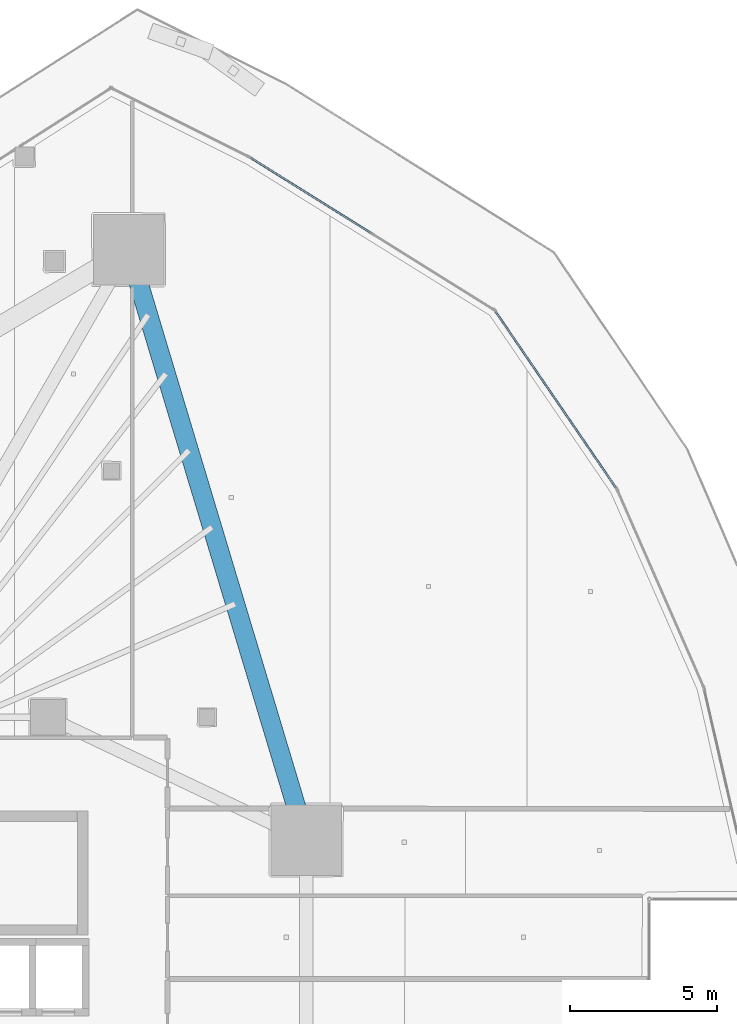
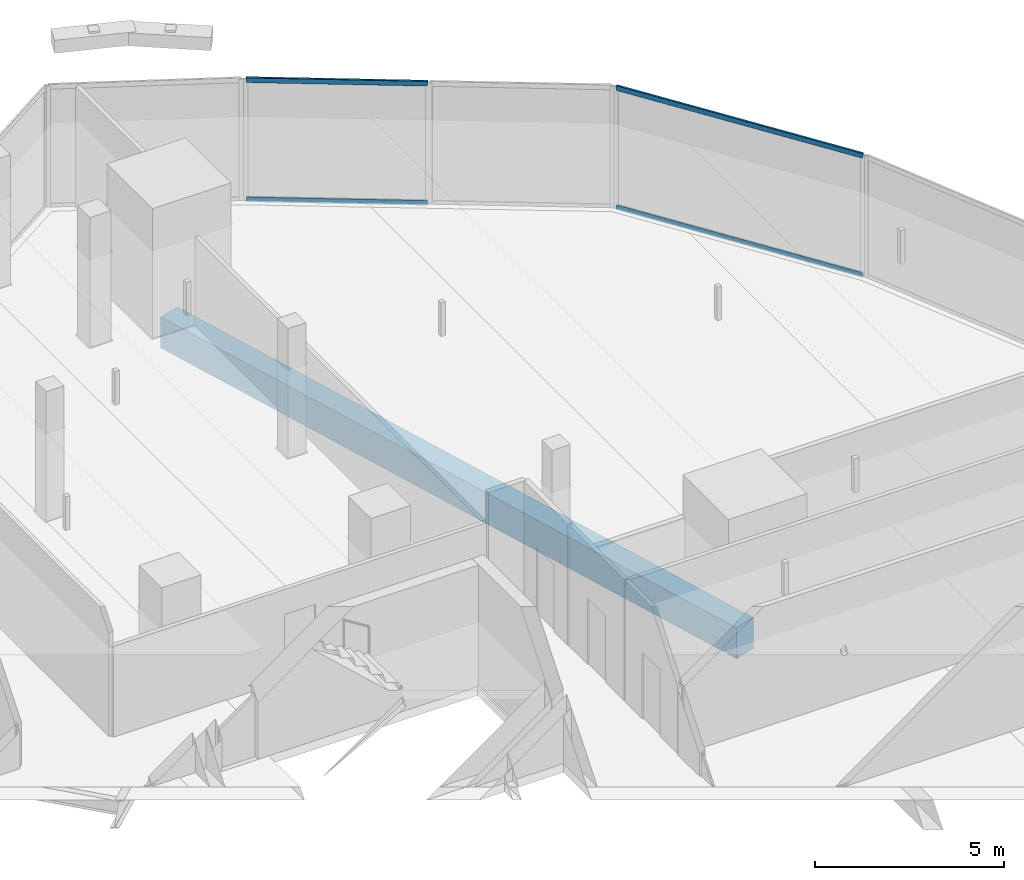
# One storey, part 21 of 44: 4 members, 1 beam, 2 elements without a shape of their own.
"""IFC4 building model written with IfcOpenShell, lengths in metres."""

import ifcopenshell
import ifcopenshell.guid

model = None  # the IFC model being written
_history = None  # IfcOwnerHistory: only IFC2X3 demands one
_inside = {}  # id of a spatial element -> (the spatial element, [elements in it])
_under = {}  # id of a project, library or spatial element -> (it, [spatial elements below it])
_declared = {}  # id of a project -> (the project, [libraries it declares])
_typed = {}  # id of a type object -> (the type object, [elements of that type])
_made_of = {}  # id of a material, layer set ... -> (it, [elements and type objects made of it])


def new_model(schema):
    """Start an empty IFC model of exactly this schema.

    Asked for "IFC4X3", IfcOpenShell would pick the latest addendum, in which some entities
    have other attributes; the version numbers below select the first issue.
    IFC2X3 requires an IfcOwnerHistory on every rooted entity: one is made here for all.
    """
    global model, _history
    if schema == "IFC4X3":
        model = ifcopenshell.file(schema_version=(4, 3, 0, 0))
    else:
        model = ifcopenshell.file(schema=schema)
    _inside.clear()
    _under.clear()
    _declared.clear()
    _typed.clear()
    _made_of.clear()
    _history = None
    if model.schema == "IFC2X3":
        org = make("IfcOrganization", Name="unknown")
        user = make(
            "IfcPersonAndOrganization",
            ThePerson=make("IfcPerson", FamilyName="unknown"),
            TheOrganization=org,
        )
        app = make(
            "IfcApplication",
            ApplicationDeveloper=org,
            Version="unknown",
            ApplicationFullName="unknown",
            ApplicationIdentifier="unknown",
        )
        _history = make(
            "IfcOwnerHistory",
            OwningUser=user,
            OwningApplication=app,
            ChangeAction="ADDED",
            CreationDate=0,
        )
    return model


def make(cls, **values):
    """One entity of the class cls with the attributes given. An attribute that is None is left unset."""
    return model.create_entity(
        cls, **{name: value for name, value in values.items() if value is not None}
    )


def rooted(cls, **values):
    """An entity with a GlobalId (a new one), such as an element, a storey or a relation."""
    return make(cls, GlobalId=ifcopenshell.guid.new(), OwnerHistory=_history, **values)


def si_unit(unit_type, name, prefix=None):
    """IfcSIUnit, for example si_unit("LENGTHUNIT", "METRE", prefix="MILLI")."""
    return make("IfcSIUnit", UnitType=unit_type, Prefix=prefix, Name=name)


def assignment(units):
    """IfcUnitAssignment: the units of a project."""
    return None if units is None else make("IfcUnitAssignment", Units=units)


def point(xyz):
    """IfcCartesianPoint."""
    return None if xyz is None else make("IfcCartesianPoint", Coordinates=xyz)


def direction(xyz):
    """IfcDirection."""
    return None if xyz is None else make("IfcDirection", DirectionRatios=xyz)


def frame(location, z_axis=None, x_axis=None):
    """IfcAxis2Placement3D, a coordinate frame: its origin and axes. An axis left out is left unset."""
    return make(
        "IfcAxis2Placement3D",
        Location=point(location),
        Axis=direction(z_axis),
        RefDirection=direction(x_axis),
    )


def frame_2d(location, x_axis=None):
    """IfcAxis2Placement2D, a coordinate frame in the plane: its origin and x axis."""
    return make(
        "IfcAxis2Placement2D", Location=point(location), RefDirection=direction(x_axis)
    )


def origin():
    """The frame at (0, 0, 0) with its axes left unset."""
    return frame((0.0, 0.0, 0.0))


def origin_2d():
    """The frame at (0, 0) in the plane with its x axis left unset."""
    return frame_2d((0.0, 0.0))


def place(relative_to, where):
    """IfcLocalPlacement: puts the frame where relative to a parent placement (None: the world)."""
    return make(
        "IfcLocalPlacement", PlacementRelTo=relative_to, RelativePlacement=where
    )


def context(
    kind, dimensions, precision=None, world=None, true_north=None, identifier=None
):
    """IfcGeometricRepresentationContext, for example the 3D "Model" context."""
    return make(
        "IfcGeometricRepresentationContext",
        ContextIdentifier=identifier,
        ContextType=kind,
        CoordinateSpaceDimension=dimensions,
        Precision=precision,
        WorldCoordinateSystem=world,
        TrueNorth=true_north,
    )


def subcontext(parent, identifier, kind, view, scale=None):
    """IfcGeometricRepresentationSubContext, for example "Body" below "Model"."""
    return make(
        "IfcGeometricRepresentationSubContext",
        ContextIdentifier=identifier,
        ContextType=kind,
        ParentContext=parent,
        TargetScale=scale,
        TargetView=view,
    )


def project(units=None, contexts=None):
    """IfcProject with its units and contexts."""
    return rooted(
        "IfcProject",
        Name="project",
        RepresentationContexts=contexts,
        UnitsInContext=assignment(units),
    )


def spatial(cls, under=None, at=None, **own):
    """A site, building, storey or space (cls), placed at a placement, below another one or the project."""
    s = rooted(cls, ObjectPlacement=at, **own)
    if under is not None:
        _under.setdefault(under.id(), (under, []))[1].append(s)
    return s


def profile(cls, at=None, kind="AREA", **sizes):
    """A parametric profile (cls). Its sizes go by their IFC names, for example OverallWidth=200.0."""
    return make(cls, ProfileType=kind, Position=at, **sizes)


def rectangle(**sizes):
    """IfcRectangleProfileDef."""
    return profile("IfcRectangleProfileDef", **sizes)


def hollow_rectangle(**sizes):
    """IfcRectangleHollowProfileDef."""
    return profile("IfcRectangleHollowProfileDef", **sizes)


def extrude(swept, where, along, depth):
    """IfcExtrudedAreaSolid: the profile swept, set in the frame where, extruded along a direction by depth."""
    return make(
        "IfcExtrudedAreaSolid",
        SweptArea=swept,
        Position=where,
        ExtrudedDirection=direction(along),
        Depth=depth,
    )


def shape(context_of_items, identifier, shape_type, items):
    """IfcShapeRepresentation: the items that make up one representation, for example the "Body"."""
    return make(
        "IfcShapeRepresentation",
        ContextOfItems=context_of_items,
        RepresentationIdentifier=identifier,
        RepresentationType=shape_type,
        Items=items,
    )


def material(Name=None, Category=None):
    """IfcMaterial."""
    return make("IfcMaterial", Name=Name, Category=Category)


def layer(
    of_material, thickness, ventilated=None, Name=None, Category=None, Priority=None
):
    """IfcMaterialLayer: one layer of a wall or slab, of a material (None: an air gap)."""
    return make(
        "IfcMaterialLayer",
        Material=of_material,
        LayerThickness=thickness,
        IsVentilated=ventilated,
        Name=Name,
        Category=Category,
        Priority=Priority,
    )


def layer_set(layers, Name=None):
    """IfcMaterialLayerSet."""
    return make("IfcMaterialLayerSet", MaterialLayers=layers, LayerSetName=Name)


def material_profile(
    of_material, cross_section, Name=None, Category=None, Priority=None
):
    """IfcMaterialProfile: a cross section and its material."""
    return make(
        "IfcMaterialProfile",
        Name=Name,
        Material=of_material,
        Profile=cross_section,
        Priority=Priority,
        Category=Category,
    )


def profile_set(profiles, Name=None, composite=None):
    """IfcMaterialProfileSet."""
    return make(
        "IfcMaterialProfileSet",
        Name=Name,
        MaterialProfiles=profiles,
        CompositeProfile=composite,
    )


def made_of(thing, what):
    """Note that an element or type object is made of a material, layer set ...; save() writes the relation."""
    if what is not None:
        _made_of.setdefault(what.id(), (what, []))[1].append(thing)
    return thing


def type_object(cls, material=None, **own):
    """A type object (cls), such as IfcWallType, which elements share."""
    return made_of(rooted(cls, **own), material)


def element(
    cls,
    number,
    at=None,
    inside=None,
    cuts=None,
    type_object=None,
    material=None,
    context=None,
    identifier="Body",
    shape_type=None,
    held_by="IfcProductDefinitionShape",
    body=None,
    shapes=None,
    **own,
):
    """One element of the class cls, such as IfcWall. Its Tag is "e" and its number.

    at: its placement. inside: the storey or other place that contains it. cuts: it is an
    opening in that element (IfcRelVoidsElement). A single representation is given by context,
    identifier, shape_type and body (its items); several are given by shapes. held_by: the class
    of the entity that holds the representations. save() writes the other relations.
    """
    e = rooted(cls, Tag="e%d" % number, ObjectPlacement=at, **own)
    if body is not None:
        shapes = [shape(context, identifier, shape_type, body)]
    if shapes is not None:
        e.Representation = make(held_by, Representations=shapes)
    if inside is not None:
        _inside.setdefault(inside.id(), (inside, []))[1].append(e)
    if cuts is not None:
        rooted(
            "IfcRelVoidsElement", RelatingBuildingElement=cuts, RelatedOpeningElement=e
        )
    if type_object is not None:
        _typed.setdefault(type_object.id(), (type_object, []))[1].append(e)
    return made_of(e, material)


def aggregate(whole, parts):
    """IfcRelAggregates: a whole, such as a stair, and the parts it consists of."""
    return rooted("IfcRelAggregates", RelatingObject=whole, RelatedObjects=parts)


def save(model, path):
    """Write the relations noted so far, then the file.

    IfcRelAggregates (storeys below a building ...), IfcRelContainedInSpatialStructure (elements
    in a storey), IfcRelDefinesByType, IfcRelAssociatesMaterial and IfcRelDeclares: one each for
    every whole, place, type object, material and project.
    """
    for whole, parts in _under.values():
        aggregate(whole, parts)
    for where, things in _inside.values():
        rooted(
            "IfcRelContainedInSpatialStructure",
            RelatedElements=things,
            RelatingStructure=where,
        )
    for kind, things in _typed.values():
        rooted("IfcRelDefinesByType", RelatedObjects=things, RelatingType=kind)
    for what, things in _made_of.values():
        rooted("IfcRelAssociatesMaterial", RelatedObjects=things, RelatingMaterial=what)
    for by, libraries in _declared.values():
        rooted("IfcRelDeclares", RelatingContext=by, RelatedDefinitions=libraries)
    model.write(path)


model = new_model("IFC4")

# Units and contexts
model_context = context("Model", 3, precision=1e-05, world=origin(), true_north=direction((0.0, 1.0)))
body_context = subcontext(model_context, "Body", "Model", "MODEL_VIEW")
ifc_project = project(units=[si_unit("LENGTHUNIT", "METRE"), si_unit("AREAUNIT", "SQUARE_METRE"), si_unit("VOLUMEUNIT", "CUBIC_METRE"), si_unit("PLANEANGLEUNIT", "RADIAN"), si_unit("MASSUNIT", "GRAM", prefix="KILO")], contexts=[model_context])

# Site, building, storey
site_placement = place(None, origin())
site = spatial("IfcSite", under=ifc_project, at=site_placement, CompositionType="ELEMENT")
building_placement = place(site_placement, origin())
building = spatial("IfcBuilding", under=site, at=building_placement, Name="Qorvath Tower", CompositionType="ELEMENT")
storey_placement = place(building_placement, frame((0.0, 0.0, 57.60009765625)))
storey = spatial("IfcBuildingStorey", under=building, at=storey_placement, Name="L12", CompositionType="ELEMENT", Elevation=57.60009765625)

# Beam
ifc_material_1 = material(Name="Concrete C50/60", Category="concrete")
ifc_material_profile_1 = material_profile(ifc_material_1, rectangle(XDim=0.64990234375, YDim=1.0, at=origin_2d()), Name="RCB 1000x650")
ifc_profile_set_1 = profile_set([ifc_material_profile_1], Name="Concrete C50/60")
beam_type = type_object("IfcBeamType", Name="BM-RCB1", PredefinedType="SPANDREL", material=ifc_profile_set_1)
beam_placement = place(storey_placement, frame((-8.430419921875, 7.2763671875, -0.780029296875), z_axis=(-0.288118908799, 0.957594639914, 0.0), x_axis=(-0.957594639914, -0.288118908799, 0.0)))
element("IfcBeam", 1, at=beam_placement, inside=storey, type_object=beam_type, Name="Perimeter Loggia Frame Beam MC5-MC6 L12", PredefinedType="SPANDREL", context=body_context, shape_type="SweptSolid", body=[
    extrude(rectangle(XDim=0.64990234375, YDim=1.0, at=origin_2d()), origin(), (0.0, 0.0, 1.0), 20.942626953125),
])

# Curtain wall, members
ifc_material_2 = material(Name="Anodised aluminium and triple low-E glass", Category="aluminium")
ifc_layer = layer(ifc_material_2, 0.179931640625)
ifc_layer_set = layer_set([ifc_layer], Name="CW-SYS-2")
curtain_wall_type = type_object("IfcCurtainWallType", Name="CW-SYS-2", PredefinedType="NOTDEFINED", material=ifc_layer_set)
curtain_wall_1_placement = place(storey_placement, origin())
curtain_wall_1 = element("IfcCurtainWall", 2, at=curtain_wall_1_placement, inside=storey, type_object=curtain_wall_type, Name="Curtain Wall CW-2 CW-T-L12-13.1", PredefinedType="NOTDEFINED")
ifc_material_3 = material(Name="Anodised aluminium 6063-T6", Category="aluminium")
ifc_material_profile_2 = material_profile(ifc_material_3, hollow_rectangle(XDim=0.06494140625, YDim=0.159912109375, WallThickness=0.00341796875, InnerFilletRadius=0.00341796875, OuterFilletRadius=0.007080078125, at=origin_2d()), Name="CWT 160x65")
ifc_profile_set_2 = profile_set([ifc_material_profile_2], Name="Anodised aluminium 6063-T6")
member_type = type_object("IfcMemberType", Name="CWT-160", PredefinedType="USERDEFINED", material=ifc_profile_set_2)
member_1_placement = place(storey_placement, frame((2.08642578125, 19.245849609375, 0.032470703125), z_axis=(-0.563963891328, 0.825799448582, 0.0), x_axis=(-0.825799448582, -0.563963891328, 0.0)))
member_1 = element("IfcMember", 3, at=member_1_placement, type_object=member_type, Name="CW-2 transom 1.1", ObjectType="TRANSOM", PredefinedType="USERDEFINED", context=body_context, shape_type="SweptSolid", body=[
    extrude(hollow_rectangle(XDim=0.06494140625, YDim=0.159912109375, WallThickness=0.00341796875, InnerFilletRadius=0.00341796875, OuterFilletRadius=0.007080078125, at=origin_2d()), origin(), (0.0, 0.0, 1.0), 7.234619140625),
])
member_2_placement = place(storey_placement, frame((2.08642578125, 19.245849609375, 3.887451171875), z_axis=(-0.563963891328, 0.825799448582, 0.0), x_axis=(-0.825799448582, -0.563963891328, 0.0)))
member_2 = element("IfcMember", 4, at=member_2_placement, type_object=member_type, Name="CW-2 transom 1.2", ObjectType="TRANSOM", PredefinedType="USERDEFINED", context=body_context, shape_type="SweptSolid", body=[
    extrude(hollow_rectangle(XDim=0.06494140625, YDim=0.159912109375, WallThickness=0.00341796875, InnerFilletRadius=0.00341796875, OuterFilletRadius=0.007080078125, at=origin_2d()), origin(), (0.0, 0.0, 1.0), 7.234619140625),
])
aggregate(curtain_wall_1, [member_1, member_2])

curtain_wall_2_placement = place(storey_placement, origin())
curtain_wall_2 = element("IfcCurtainWall", 5, at=curtain_wall_2_placement, inside=storey, type_object=curtain_wall_type, Name="Curtain Wall CW-2 CW-T-L12-14.1", PredefinedType="NOTDEFINED")
member_3_placement = place(storey_placement, frame((-6.22705078125, 27.894775390625, 0.032470703125), z_axis=(-0.848186144124, 0.529698277245, 0.0), x_axis=(-0.529698277245, -0.848186144124, 0.0)))
member_3 = element("IfcMember", 6, at=member_3_placement, type_object=member_type, Name="CW-2 transom 2.1", ObjectType="TRANSOM", PredefinedType="USERDEFINED", context=body_context, shape_type="SweptSolid", body=[
    extrude(hollow_rectangle(XDim=0.06494140625, YDim=0.159912109375, WallThickness=0.00341796875, InnerFilletRadius=0.00341796875, OuterFilletRadius=0.007080078125, at=origin_2d()), origin(), (0.0, 0.0, 1.0), 4.81787109375),
])
member_4_placement = place(storey_placement, frame((-6.22705078125, 27.894775390625, 3.887451171875), z_axis=(-0.848186144124, 0.529698277245, 0.0), x_axis=(-0.529698277245, -0.848186144124, 0.0)))
member_4 = element("IfcMember", 7, at=member_4_placement, type_object=member_type, Name="CW-2 transom 2.2", ObjectType="TRANSOM", PredefinedType="USERDEFINED", context=body_context, shape_type="SweptSolid", body=[
    extrude(hollow_rectangle(XDim=0.06494140625, YDim=0.159912109375, WallThickness=0.00341796875, InnerFilletRadius=0.00341796875, OuterFilletRadius=0.007080078125, at=origin_2d()), origin(), (0.0, 0.0, 1.0), 4.81787109375),
])
aggregate(curtain_wall_2, [member_3, member_4])

save(model, "model.ifc")
